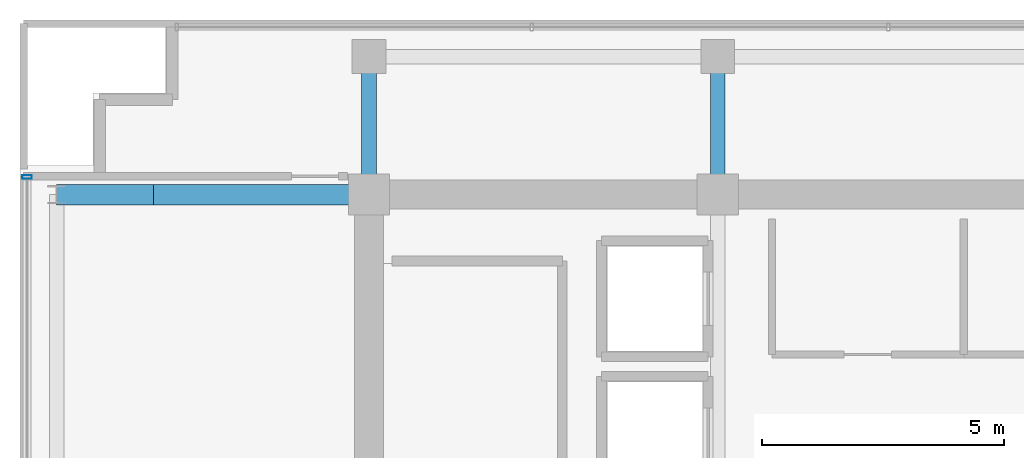
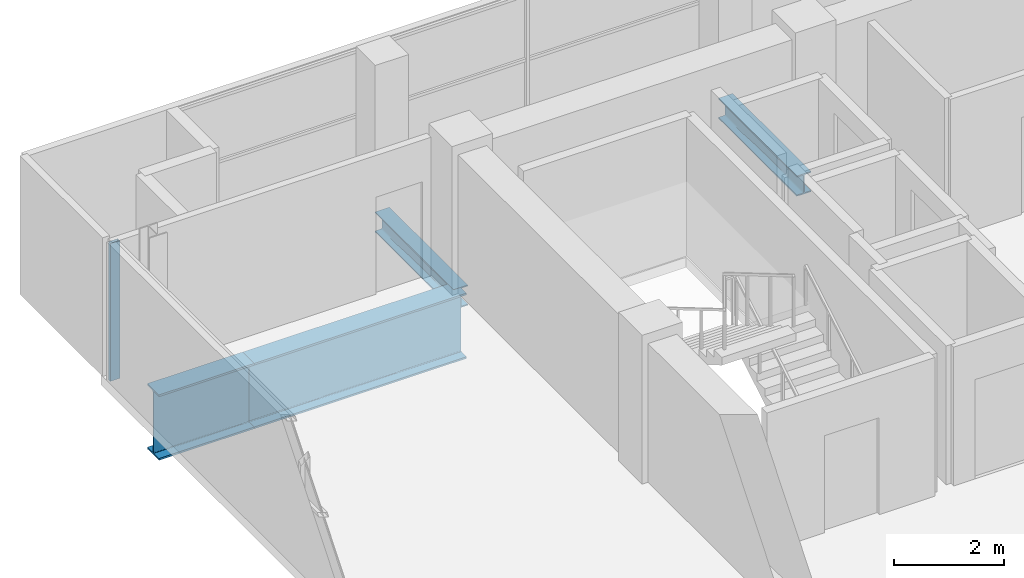
# One storey, part 11 of 29: 4 beams, 1 member, 1 element without a shape of its own.
"""IFC4 building model written with IfcOpenShell, lengths in metres."""

from ifc_helpers import new_model, si_unit, direction, frame, origin, origin_2d, place, context, subcontext, project, spatial, hollow_rectangle, i_section, extrude, source, transform, mapped, material, layer, layer_set, material_profile, profile_set, type_object, element, aggregate, save


model = new_model("IFC4")

# Units and contexts
model_context = context("Model", 3, precision=1e-05, world=origin(), true_north=direction((0.0, 1.0)))
body_context = subcontext(model_context, "Body", "Model", "MODEL_VIEW")
ifc_project = project(units=[si_unit("LENGTHUNIT", "METRE"), si_unit("AREAUNIT", "SQUARE_METRE"), si_unit("VOLUMEUNIT", "CUBIC_METRE"), si_unit("PLANEANGLEUNIT", "RADIAN"), si_unit("MASSUNIT", "GRAM", prefix="KILO")], contexts=[model_context])

# Site, building, storey
site_placement = place(None, origin())
site = spatial("IfcSite", under=ifc_project, at=site_placement, CompositionType="ELEMENT")
building_placement = place(site_placement, origin())
building = spatial("IfcBuilding", under=site, at=building_placement, Name="Zarnakvel Exchange Tower", CompositionType="ELEMENT")
storey_placement = place(building_placement, frame((0.0, 0.0, 258.39990234375)))
storey = spatial("IfcBuildingStorey", under=building, at=storey_placement, Name="L73", CompositionType="ELEMENT", Elevation=258.39990234375)

# Beams
ifc_material_1 = material(Name="Steel S355", Category="steel")
ifc_material_profile_1 = material_profile(ifc_material_1, i_section(OverallWidth=0.300048828125, OverallDepth=0.449951171875, WebThickness=0.013916015625, FlangeThickness=0.02587890625, FilletRadius=0.027099609375, at=origin_2d()))
ifc_profile_set_1 = profile_set([ifc_material_profile_1], Name="Steel S355")
beam_type_1 = type_object("IfcBeamType", Name="G-07", PredefinedType="BEAM", material=ifc_profile_set_1)
for number, where, z_axis, x_axis, name in (
    (1, (-14.39990234375, 13.5, -0.449951171875), (0.0, 1.0, 0.0), (-1.0, 0.0, 0.0), "L73 Tower N-S Frame Beam"),
    (2, (-7.199951171875, 13.5, -0.449951171875), (0.0, 1.0, 0.0), (-1.0, 0.0, 0.0), "L73 Tower N-S Frame Beam"),
):
    element("IfcBeam", number, at=place(storey_placement, frame(where, z_axis=z_axis, x_axis=x_axis)), inside=storey, type_object=beam_type_1, Name=name, PredefinedType="BEAM", context=body_context, shape_type="SweptSolid", body=[
        extrude(i_section(OverallWidth=0.300048828125, OverallDepth=0.449951171875, WebThickness=0.013916015625, FlangeThickness=0.02587890625, FilletRadius=0.027099609375, at=origin_2d()), origin(), (0.0, 0.0, 1.0), 2.85009765625),
    ])
ifc_material_2 = material(Name="Steel S460", Category="steel")
ifc_material_profile_2 = material_profile(ifc_material_2, i_section(OverallWidth=0.419921875, OverallDepth=1.449951171875, WebThickness=0.02392578125, FlangeThickness=0.0400390625, FilletRadius=0.030029296875, at=origin_2d()))
ifc_profile_set_2 = profile_set([ifc_material_profile_2], Name="Steel S460")
beam_type_2 = type_object("IfcBeamType", Name="TG-01", PredefinedType="BEAM", material=ifc_profile_set_2)
beam_1_placement = place(storey_placement, frame((-20.85009765625, 13.5, -0.949951171875), z_axis=(1.0, 0.0, 0.0), x_axis=(0.0, 1.0, 0.0)))
element("IfcBeam", 3, at=beam_1_placement, inside=storey, type_object=beam_type_2, Name="L73 Block-Shift Cantilever Transfer TW-F", PredefinedType="BEAM", context=body_context, shape_type="SweptSolid", body=[
    extrude(i_section(OverallWidth=0.419921875, OverallDepth=1.449951171875, WebThickness=0.02392578125, FlangeThickness=0.0400390625, FilletRadius=0.030029296875, at=origin_2d()), origin(), (0.0, 0.0, 1.0), 2.0),
])
beam_2_placement = place(storey_placement, frame((-18.85009765625, 13.5, -0.949951171875), z_axis=(1.0, 0.0, 0.0), x_axis=(0.0, 1.0, 0.0)))
element("IfcBeam", 4, at=beam_2_placement, inside=storey, type_object=beam_type_2, Name="L73 Block-Shift Backspan Transfer TW-F", PredefinedType="BEAM", context=body_context, shape_type="SweptSolid", body=[
    extrude(i_section(OverallWidth=0.419921875, OverallDepth=1.449951171875, WebThickness=0.02392578125, FlangeThickness=0.0400390625, FilletRadius=0.030029296875, at=origin_2d()), origin(), (0.0, 0.0, 1.0), 4.4501953125),
])

# Curtain wall, member
ifc_material_3 = material(Name="Architectural Bronze Anodised Aluminium", Category="aluminium")
ifc_layer = layer(ifc_material_3, 0.199951171875)
ifc_layer_set = layer_set([ifc_layer], Name="Architectural Bronze Anodised Aluminium")
curtain_wall_type = type_object("IfcCurtainWallType", Name="CW-04", PredefinedType="NOTDEFINED", material=ifc_layer_set)
curtain_wall_placement = place(storey_placement, origin())
curtain_wall = element("IfcCurtainWall", 5, at=curtain_wall_placement, inside=storey, type_object=curtain_wall_type, Name="L73 Curtain Wall CW-L73-W1 (CW-04)", PredefinedType="NOTDEFINED")
ifc_material_profile_3 = material_profile(ifc_material_3, hollow_rectangle(XDim=0.199951171875, YDim=0.074951171875, WallThickness=0.0048828125, at=origin_2d()))
ifc_profile_set_3 = profile_set([ifc_material_profile_3], Name="Architectural Bronze Anodised Aluminium")
member_type = type_object("IfcMemberType", Name="CWM-04", PredefinedType="MULLION", material=ifc_profile_set_3)
shared_shape = source(origin(), body_context, "Body", "SweptSolid", [
    extrude(hollow_rectangle(XDim=0.199951171875, YDim=0.074951171875, WallThickness=0.0048828125, at=origin_2d()), origin(), (0.0, 0.0, 1.0), 3.05517578125),
])
member_placement = place(storey_placement, frame((-21.4599609375, 13.862548828125, 0.0), z_axis=(0.0, 0.0, 1.0), x_axis=(-1.0, 0.0, 0.0)))
member = element("IfcMember", 6, at=member_placement, type_object=member_type, Name="CW-04 mullion 5", PredefinedType="MULLION", context=body_context, shape_type="MappedRepresentation", body=[
    mapped(shared_shape, transform((0.0, 0.0, 0.0), x_axis=(1.0, 0.0, 0.0), y_axis=(0.0, 1.0, 0.0), z_axis=(0.0, 0.0, 1.0), scale=1.0)),
])
aggregate(curtain_wall, [member])

save(model, "model.ifc")
